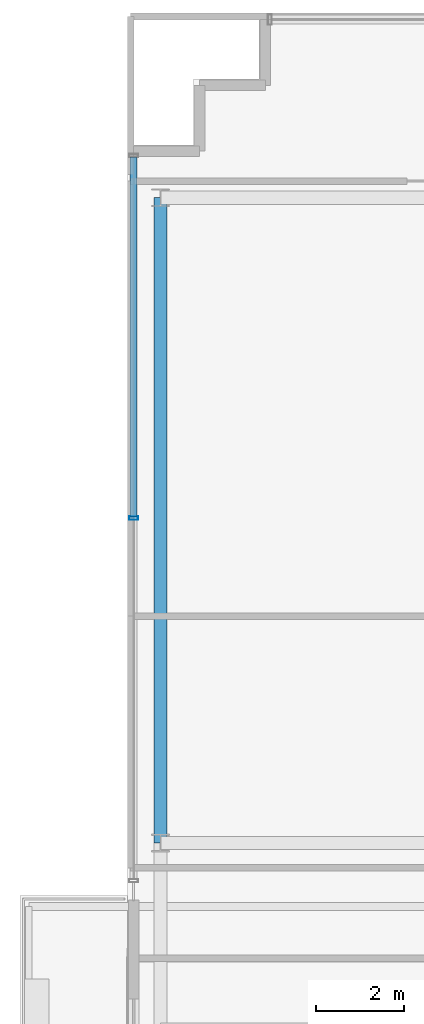
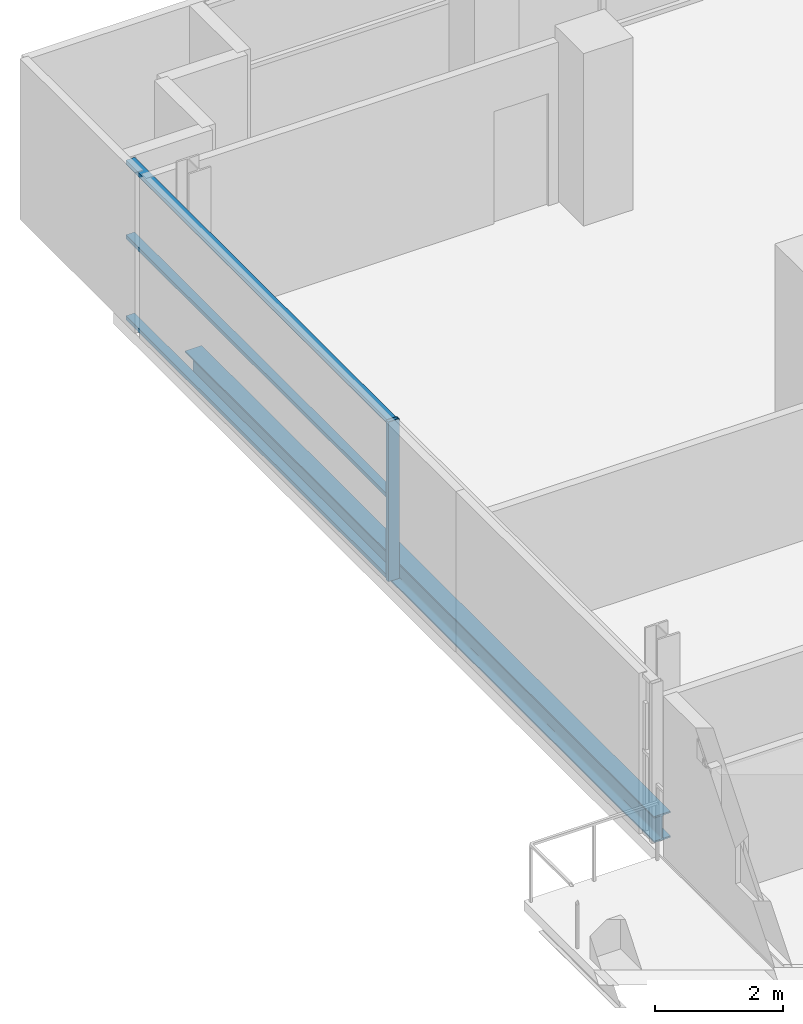
# One storey, part 8 of 28: 4 members, 1 beam, 1 element without a shape of its own.
"""IFC4 building model written with IfcOpenShell, lengths in metres."""

from ifc_helpers import new_model, si_unit, direction, frame, origin, origin_2d, place, context, subcontext, project, spatial, hollow_rectangle, i_section, extrude, source, transform, mapped, material, layer, layer_set, material_profile, profile_set, type_object, element, aggregate, save


model = new_model("IFC4")

# Units and contexts
model_context = context("Model", 3, precision=1e-05, world=origin(), true_north=direction((0.0, 1.0)))
body_context = subcontext(model_context, "Body", "Model", "MODEL_VIEW")
ifc_project = project(units=[si_unit("LENGTHUNIT", "METRE"), si_unit("AREAUNIT", "SQUARE_METRE"), si_unit("VOLUMEUNIT", "CUBIC_METRE"), si_unit("PLANEANGLEUNIT", "RADIAN"), si_unit("MASSUNIT", "GRAM", prefix="KILO")], contexts=[model_context])

# Site, building, storey
site_placement = place(None, origin())
site = spatial("IfcSite", under=ifc_project, at=site_placement, CompositionType="ELEMENT")
building_placement = place(site_placement, origin())
building = spatial("IfcBuilding", under=site, at=building_placement, Name="Zarnakvel Exchange Tower", CompositionType="ELEMENT")
storey_placement = place(building_placement, frame((0.0, 0.0, 90.10009765625)))
storey = spatial("IfcBuildingStorey", under=building, at=storey_placement, Name="L24", CompositionType="ELEMENT", Elevation=90.10009765625)

# Beam
ifc_material_1 = material(Name="Steel S355", Category="steel")
ifc_material_profile_1 = material_profile(ifc_material_1, i_section(OverallWidth=0.300048828125, OverallDepth=0.5, WebThickness=0.014404296875, FlangeThickness=0.028076171875, FilletRadius=0.027099609375, at=origin_2d()))
ifc_profile_set_1 = profile_set([ifc_material_profile_1], Name="Steel S355")
beam_type = type_object("IfcBeamType", Name="SP-02", PredefinedType="SPANDREL", material=ifc_profile_set_1)
beam_placement = place(storey_placement, frame((-28.85009765625, -1.199951171875, -0.47509765625), z_axis=(0.0, 1.0, 0.0), x_axis=(-1.0, 0.0, 0.0)))
element("IfcBeam", 1, at=beam_placement, inside=storey, type_object=beam_type, Name="L24 Tower N-S Frame Beam", PredefinedType="SPANDREL", context=body_context, shape_type="SweptSolid", body=[
    extrude(i_section(OverallWidth=0.300048828125, OverallDepth=0.5, WebThickness=0.014404296875, FlangeThickness=0.028076171875, FilletRadius=0.027099609375, at=origin_2d()), origin(), (0.0, 0.0, 1.0), 14.699951171875),
])

# Curtain wall, members
ifc_material_2 = material(Name="Architectural Bronze Anodised Aluminium", Category="aluminium")
ifc_layer = layer(ifc_material_2, 0.199951171875)
ifc_layer_set = layer_set([ifc_layer], Name="Architectural Bronze Anodised Aluminium")
curtain_wall_type = type_object("IfcCurtainWallType", Name="CW-04", PredefinedType="NOTDEFINED", material=ifc_layer_set)
curtain_wall_placement = place(storey_placement, origin())
curtain_wall = element("IfcCurtainWall", 2, at=curtain_wall_placement, inside=storey, type_object=curtain_wall_type, Name="L24 Curtain Wall CW-L24-WN (CW-04)", PredefinedType="NOTDEFINED")
ifc_material_profile_2 = material_profile(ifc_material_2, hollow_rectangle(XDim=0.199951171875, YDim=0.074951171875, WallThickness=0.0048828125, at=origin_2d()))
ifc_profile_set_2 = profile_set([ifc_material_profile_2], Name="Architectural Bronze Anodised Aluminium")
member_type_1 = type_object("IfcMemberType", Name="CWM-04", PredefinedType="MULLION", material=ifc_profile_set_2)
shared_shape_1 = source(origin(), body_context, "Body", "SweptSolid", [
    extrude(hollow_rectangle(XDim=0.199951171875, YDim=0.074951171875, WallThickness=0.0048828125, at=origin_2d()), origin(), (0.0, 0.0, 1.0), 3.054931640625),
])
member_1_placement = place(storey_placement, frame((-29.4599609375, 6.199951171875, 0.0), z_axis=(0.0, 0.0, 1.0), x_axis=(-1.0, 0.0, 0.0)))
member_1 = element("IfcMember", 3, at=member_1_placement, type_object=member_type_1, Name="CW-04 mullion 2", PredefinedType="MULLION", context=body_context, shape_type="MappedRepresentation", body=[
    mapped(shared_shape_1, transform((0.0, 0.0, 0.0), x_axis=(1.0, 0.0, 0.0), y_axis=(0.0, 1.0, 0.0), z_axis=(0.0, 0.0, 1.0), scale=1.0)),
])
ifc_material_profile_3 = material_profile(ifc_material_2, hollow_rectangle(XDim=0.159912109375, YDim=0.074951171875, WallThickness=0.00390625, at=origin_2d()))
ifc_profile_set_3 = profile_set([ifc_material_profile_3], Name="Architectural Bronze Anodised Aluminium")
member_type_2 = type_object("IfcMemberType", Name="CWT-04", PredefinedType="USERDEFINED", material=ifc_profile_set_3)
shared_shape_2 = source(origin(), body_context, "Body", "SweptSolid", [
    extrude(hollow_rectangle(XDim=0.159912109375, YDim=0.074951171875, WallThickness=0.00390625, at=origin_2d()), origin(), (0.0, 0.0, 1.0), 8.1875),
])
member_2_placement = place(storey_placement, frame((-29.4599609375, 6.237548828125, 0.037353515625), z_axis=(0.0, 1.0, 0.0), x_axis=(-1.0, 0.0, 0.0)))
member_2 = element("IfcMember", 4, at=member_2_placement, type_object=member_type_2, Name="CW-04 transom 2.1", ObjectType="TRANSOM", PredefinedType="USERDEFINED", context=body_context, shape_type="MappedRepresentation", body=[
    mapped(shared_shape_2, transform((0.0, 0.0, 0.0), x_axis=(1.0, 0.0, 0.0), y_axis=(0.0, 1.0, 0.0), z_axis=(0.0, 0.0, 1.0), scale=1.0)),
])
member_3_placement = place(storey_placement, frame((-29.4599609375, 6.237548828125, 1.588623046875), z_axis=(0.0, 1.0, 0.0), x_axis=(-1.0, 0.0, 0.0)))
member_3 = element("IfcMember", 5, at=member_3_placement, type_object=member_type_2, Name="CW-04 transom 2.2", ObjectType="TRANSOM", PredefinedType="USERDEFINED", context=body_context, shape_type="MappedRepresentation", body=[
    mapped(shared_shape_2, transform((0.0, 0.0, 0.0), x_axis=(1.0, 0.0, 0.0), y_axis=(0.0, 1.0, 0.0), z_axis=(0.0, 0.0, 1.0), scale=1.0)),
])
member_4_placement = place(storey_placement, frame((-29.4599609375, 6.237548828125, 3.017333984375), z_axis=(0.0, 1.0, 0.0), x_axis=(-1.0, 0.0, 0.0)))
member_4 = element("IfcMember", 6, at=member_4_placement, type_object=member_type_2, Name="CW-04 transom 2.3", ObjectType="TRANSOM", PredefinedType="USERDEFINED", context=body_context, shape_type="MappedRepresentation", body=[
    mapped(shared_shape_2, transform((0.0, 0.0, 0.0), x_axis=(1.0, 0.0, 0.0), y_axis=(0.0, 1.0, 0.0), z_axis=(0.0, 0.0, 1.0), scale=1.0)),
])
aggregate(curtain_wall, [member_1, member_2, member_3, member_4])

save(model, "model.ifc")
